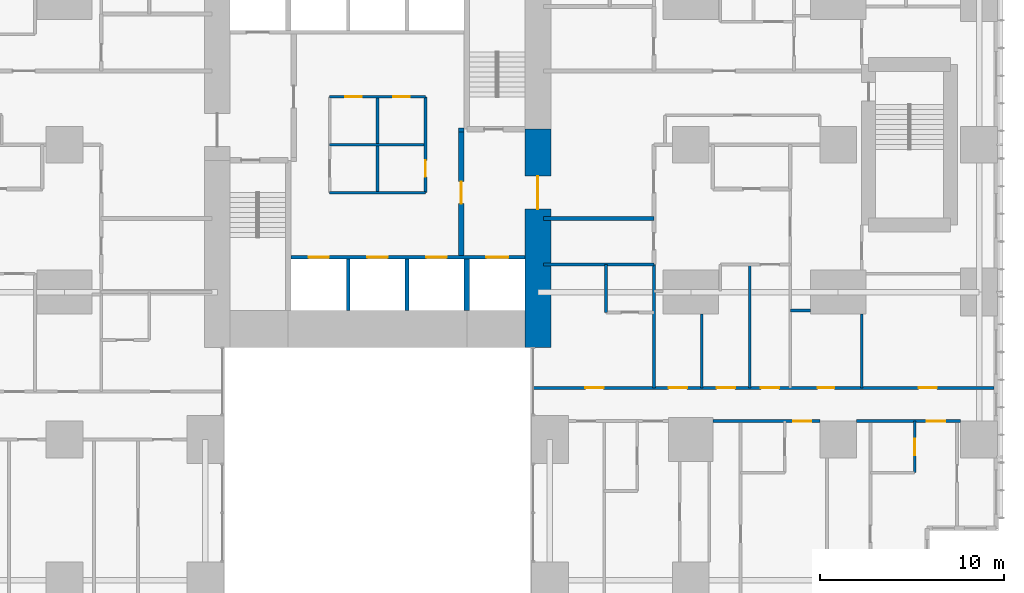
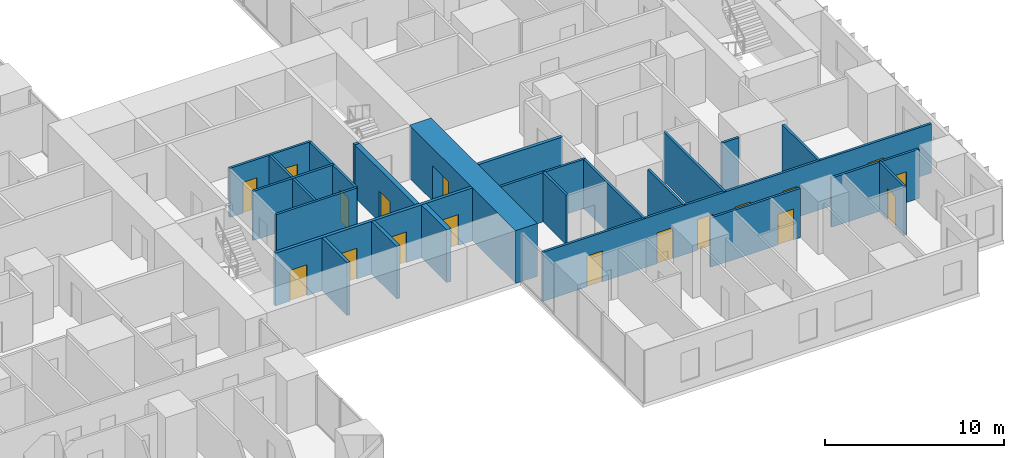
# One storey, part 15 of 20: 24 walls, 18 doors, 18 openings.
"""IFC4 building model written with IfcOpenShell, lengths in metres."""

from ifc_helpers import new_model, si_unit, direction, frame, frame_2d, origin, place, context, subcontext, project, spatial, rectangle, extrude, material, layer, layer_set, type_object, element, fill, save


model = new_model("IFC4")

# Units and contexts
model_context = context("Model", 3, precision=1e-05, world=origin(), true_north=direction((0.0, 1.0)))
body_context = subcontext(model_context, "Body", "Model", "MODEL_VIEW")
ifc_project = project(units=[si_unit("LENGTHUNIT", "METRE"), si_unit("AREAUNIT", "SQUARE_METRE"), si_unit("VOLUMEUNIT", "CUBIC_METRE"), si_unit("PLANEANGLEUNIT", "RADIAN"), si_unit("MASSUNIT", "GRAM", prefix="KILO")], contexts=[model_context])

# Site, building, storey
site_placement = place(None, origin())
site = spatial("IfcSite", under=ifc_project, at=site_placement, CompositionType="ELEMENT")
building_placement = place(site_placement, origin())
building = spatial("IfcBuilding", under=site, at=building_placement, Name="Cleftline Residences", CompositionType="ELEMENT")
storey_placement = place(building_placement, frame((0.0, 0.0, 51.199951171875)))
storey = spatial("IfcBuildingStorey", under=building, at=storey_placement, Name="L12", CompositionType="ELEMENT", Elevation=51.199951171875)

# Wall, opening, door
ifc_material_1 = material(Name="Concrete B70", Category="concrete")
ifc_layer_1 = layer(ifc_material_1, 1.39990234375)
ifc_layer_set_1 = layer_set([ifc_layer_1], Name="CORE WALL 1400")
wall_type_1 = type_object("IfcWallType", Name="CORE WALL 1400", PredefinedType="SHEAR", material=ifc_layer_set_1)
wall_1_placement = place(storey_placement, frame((41.699951171875, 13.0, 0.0), z_axis=(0.0, 0.0, 1.0), x_axis=(0.0, 1.0, 0.0)))
wall_1 = element("IfcWall", 1, at=wall_1_placement, inside=storey, type_object=wall_type_1, Name="Core wall E", PredefinedType="SHEAR", context=body_context, shape_type="SweptSolid", body=[
    extrude(rectangle(XDim=11.85009765625, YDim=1.39990234375, at=frame_2d((5.925048828125, 0.0))), origin(), (0.0, 0.0, 1.0), 3.60009765625),
])
opening_1_placement = place(wall_1_placement, frame((7.5, 0.0, 0.0)))
opening_1 = element("IfcOpeningElement", 2, at=opening_1_placement, cuts=wall_1, Name="Opening D7", PredefinedType="OPENING", context=body_context, shape_type="SweptSolid", body=[
    extrude(rectangle(XDim=1.800048828125, YDim=2.39990234375, at=frame_2d((0.89990234375, 1.199951171875))), frame((0.0, 0.7099609375, 0.0), z_axis=(0.0, -1.0, 0.0), x_axis=(1.0, 0.0, 0.0)), (0.0, 0.0, 1.0), 1.419921875),
])
ifc_material_2 = material(Name="Steel", Category="steel")
door_type_1 = type_object("IfcDoorType", Name="WING DOOR 1800X2400", OperationType="DOUBLE_DOOR_DOUBLE_SWING", PredefinedType="DOOR", material=ifc_material_2)
door_1_placement = place(opening_1_placement, origin())
door_1 = element("IfcDoor", 3, at=door_1_placement, inside=storey, type_object=door_type_1, Name="East wing door", OperationType="DOUBLE_DOOR_DOUBLE_SWING", OverallHeight=2.39990234375, OverallWidth=1.800048828125, PredefinedType="DOOR", context=body_context, shape_type="SweptSolid", body=[
    extrude(rectangle(XDim=1.800048828125, YDim=2.39990234375, at=frame_2d((0.89990234375, 1.199951171875))), frame((0.0, 0.02490234375, 0.0), z_axis=(0.0, -1.0, 0.0), x_axis=(1.0, 0.0, 0.0)), (0.0, 0.0, 1.0), 0.050048828125),
])
fill(opening_1, door_1)

# Walls
ifc_material_3 = material(Name="Concrete B70", Category="concrete")
ifc_layer_2 = layer(ifc_material_3, 0.300048828125)
ifc_layer_set_2 = layer_set([ifc_layer_2], Name="CORE WALL 300")
wall_type_2 = type_object("IfcWallType", Name="CORE WALL 300", PredefinedType="SHEAR", material=ifc_layer_set_2)
wall_2_placement = place(storey_placement, frame((37.85009765625, 15.0, 0.0), z_axis=(0.0, 0.0, 1.0), x_axis=(0.0, 1.0, 0.0)))
element("IfcWall", 4, at=wall_2_placement, inside=storey, type_object=wall_type_2, Name="Lift shaft wall", PredefinedType="SHEAR", context=body_context, shape_type="SweptSolid", body=[
    extrude(rectangle(XDim=2.800048828125, YDim=0.300048828125, at=frame_2d((1.39990234375, 0.0))), origin(), (0.0, 0.0, 1.0), 3.60009765625),
])
ifc_material_4 = material(Name="Concrete blockwork, fire rated", Category="masonry")
ifc_layer_3 = layer(ifc_material_4, 0.199951171875)
ifc_layer_set_3 = layer_set([ifc_layer_3], Name="FIRE WALL 200")
wall_type_3 = type_object("IfcWallType", Name="FIRE WALL 200", PredefinedType="PARTITIONING", material=ifc_layer_set_3)
wall_3_placement = place(storey_placement, frame((42.0, 20.0, 0.0), z_axis=(0.0, 0.0, 1.0), x_axis=(1.0, 0.0, 0.0)))
element("IfcWall", 5, at=wall_3_placement, inside=storey, type_object=wall_type_3, Name="Fire separating wall", PredefinedType="PARTITIONING", context=body_context, shape_type="SweptSolid", body=[
    extrude(rectangle(XDim=6.0, YDim=0.199951171875, at=frame_2d((3.0, 0.0))), origin(), (0.0, 0.0, 1.0), 3.35009765625),
])
wall_4_placement = place(storey_placement, frame((37.39990234375, 24.800048828125, 0.0), z_axis=(0.0, 0.0, 1.0), x_axis=(1.0, 0.0, 0.0)))
element("IfcWall", 6, at=wall_4_placement, inside=storey, type_object=wall_type_3, Name="Fire separating wall", PredefinedType="PARTITIONING", context=body_context, shape_type="SweptSolid", body=[
    extrude(rectangle(XDim=0.300048828125, YDim=0.199951171875, at=frame_2d((0.14990234375, 0.0))), origin(), (0.0, 0.0, 1.0), 3.60009765625),
])

# Wall, opening, door
ifc_material_5 = material(Name="Gypsum board on steel studs", Category="steel")
ifc_layer_4 = layer(ifc_material_5, 0.14990234375)
ifc_layer_set_4 = layer_set([ifc_layer_4], Name="PARTITION 150")
wall_type_4 = type_object("IfcWallType", Name="PARTITION 150", PredefinedType="PARTITIONING", material=ifc_layer_set_4)
wall_5_placement = place(storey_placement, frame((51.199951171875, 9.0, 0.0), z_axis=(0.0, 0.0, 1.0), x_axis=(1.0, 0.0, 0.0)))
wall_5 = element("IfcWall", 7, at=wall_5_placement, inside=storey, type_object=wall_type_4, Name="Partition", PredefinedType="PARTITIONING", context=body_context, shape_type="SweptSolid", body=[
    extrude(rectangle(XDim=5.800048828125, YDim=0.14990234375, at=frame_2d((2.89990234375, 0.0))), origin(), (0.0, 0.0, 1.0), 3.35009765625),
])
opening_2_placement = place(wall_5_placement, frame((4.35009765625, 0.0, 0.0)))
opening_2 = element("IfcOpeningElement", 8, at=opening_2_placement, cuts=wall_5, Name="Opening D2", PredefinedType="OPENING", context=body_context, shape_type="SweptSolid", body=[
    extrude(rectangle(XDim=1.0, YDim=2.10009765625, at=frame_2d((0.5, 1.050048828125))), frame((0.0, 0.0849609375, 0.0), z_axis=(0.0, -1.0, 0.0), x_axis=(1.0, 0.0, 0.0)), (0.0, 0.0, 1.0), 0.169921875),
])
ifc_material_6 = material(Name="Timber veneer on solid core", Category="wood")
door_type_2 = type_object("IfcDoorType", Name="DOOR 1000X2100", OperationType="SINGLE_SWING_LEFT", PredefinedType="DOOR", material=ifc_material_6)
door_2_placement = place(opening_2_placement, origin())
door_2 = element("IfcDoor", 9, at=door_2_placement, inside=storey, type_object=door_type_2, Name="Door to bedroom 3", OperationType="SINGLE_SWING_LEFT", OverallHeight=2.10009765625, OverallWidth=1.0, PredefinedType="DOOR", context=body_context, shape_type="SweptSolid", body=[
    extrude(rectangle(XDim=1.0, YDim=2.10009765625, at=frame_2d((0.5, 1.050048828125))), frame((0.0, 0.02490234375, 0.0), z_axis=(0.0, -1.0, 0.0), x_axis=(1.0, 0.0, 0.0)), (0.0, 0.0, 1.0), 0.050048828125),
])
fill(opening_2, door_2)

wall_6_placement = place(storey_placement, frame((59.0, 9.0, 0.0), z_axis=(0.0, 0.0, 1.0), x_axis=(1.0, 0.0, 0.0)))
wall_6 = element("IfcWall", 10, at=wall_6_placement, inside=storey, type_object=wall_type_4, Name="Partition", PredefinedType="PARTITIONING", context=body_context, shape_type="SweptSolid", body=[
    extrude(rectangle(XDim=5.64990234375, YDim=0.14990234375, at=frame_2d((2.824951171875, 0.0))), origin(), (0.0, 0.0, 1.0), 3.35009765625),
])
opening_3_placement = place(wall_6_placement, frame((3.800048828125, 0.0, 0.0)))
opening_3 = element("IfcOpeningElement", 11, at=opening_3_placement, cuts=wall_6, Name="Opening D2", PredefinedType="OPENING", context=body_context, shape_type="SweptSolid", body=[
    extrude(rectangle(XDim=1.0, YDim=2.10009765625, at=frame_2d((0.5, 1.050048828125))), frame((0.0, 0.0849609375, 0.0), z_axis=(0.0, -1.0, 0.0), x_axis=(1.0, 0.0, 0.0)), (0.0, 0.0, 1.0), 0.169921875),
])
door_3_placement = place(opening_3_placement, origin())
door_3 = element("IfcDoor", 12, at=door_3_placement, inside=storey, type_object=door_type_2, Name="Door to bedroom 2", OperationType="SINGLE_SWING_LEFT", OverallHeight=2.10009765625, OverallWidth=1.0, PredefinedType="DOOR", context=body_context, shape_type="SweptSolid", body=[
    extrude(rectangle(XDim=1.0, YDim=2.10009765625, at=frame_2d((0.5, 1.050048828125))), frame((0.0, 0.02490234375, 0.0), z_axis=(0.0, -1.0, 0.0), x_axis=(1.0, 0.0, 0.0)), (0.0, 0.0, 1.0), 0.050048828125),
])
fill(opening_3, door_3)

# Wall, openings, doors
wall_7_placement = place(storey_placement, frame((41.43896484375, 10.800048828125, 0.0), z_axis=(0.0, 0.0, 1.0), x_axis=(1.0, 0.0, 0.0)))
wall_7 = element("IfcWall", 13, at=wall_7_placement, inside=storey, type_object=wall_type_4, Name="Partition", PredefinedType="PARTITIONING", context=body_context, shape_type="SweptSolid", body=[
    extrude(rectangle(XDim=25.010986328125, YDim=0.14990234375, at=frame_2d((12.50537109375, 0.0))), origin(), (0.0, 0.0, 1.0), 3.35009765625),
])
opening_4_placement = place(wall_7_placement, frame((12.361083984375, 0.0, 0.0)))
opening_4 = element("IfcOpeningElement", 14, at=opening_4_placement, cuts=wall_7, Name="Opening D2", PredefinedType="OPENING", context=body_context, shape_type="SweptSolid", body=[
    extrude(rectangle(XDim=1.0, YDim=2.10009765625, at=frame_2d((0.5, 1.050048828125))), frame((0.0, 0.0849609375, 0.0), z_axis=(0.0, -1.0, 0.0), x_axis=(1.0, 0.0, 0.0)), (0.0, 0.0, 1.0), 0.169921875),
])
opening_5_placement = place(wall_7_placement, frame((20.923583984375, 0.0, 0.0)))
opening_5 = element("IfcOpeningElement", 15, at=opening_5_placement, cuts=wall_7, Name="Opening D2", PredefinedType="OPENING", context=body_context, shape_type="SweptSolid", body=[
    extrude(rectangle(XDim=1.0, YDim=2.10009765625, at=frame_2d((0.5, 1.050048828125))), frame((0.0, 0.0849609375, 0.0), z_axis=(0.0, -1.0, 0.0), x_axis=(1.0, 0.0, 0.0)), (0.0, 0.0, 1.0), 0.169921875),
])
opening_6_placement = place(wall_7_placement, frame((15.448486328125, 0.0, 0.0)))
opening_6 = element("IfcOpeningElement", 16, at=opening_6_placement, cuts=wall_7, Name="Opening D1", PredefinedType="OPENING", context=body_context, shape_type="SweptSolid", body=[
    extrude(rectangle(XDim=0.89990234375, YDim=2.10009765625, at=frame_2d((0.449951171875, 1.050048828125))), frame((0.0, 0.0849609375, 0.0), z_axis=(0.0, -1.0, 0.0), x_axis=(1.0, 0.0, 0.0)), (0.0, 0.0, 1.0), 0.169921875),
])
opening_7_placement = place(wall_7_placement, frame((9.9609375, 0.0, 0.0)))
opening_7 = element("IfcOpeningElement", 17, at=opening_7_placement, cuts=wall_7, Name="Opening D2", PredefinedType="OPENING", context=body_context, shape_type="SweptSolid", body=[
    extrude(rectangle(XDim=1.0, YDim=2.10009765625, at=frame_2d((0.5, 1.050048828125))), frame((0.0, 0.0849609375, 0.0), z_axis=(0.0, -1.0, 0.0), x_axis=(1.0, 0.0, 0.0)), (0.0, 0.0, 1.0), 0.169921875),
])
opening_8_placement = place(wall_7_placement, frame((7.361083984375, 0.0, 0.0)))
opening_8 = element("IfcOpeningElement", 18, at=opening_8_placement, cuts=wall_7, Name="Opening D2", PredefinedType="OPENING", context=body_context, shape_type="SweptSolid", body=[
    extrude(rectangle(XDim=1.0, YDim=2.10009765625, at=frame_2d((0.5, 1.050048828125))), frame((0.0, 0.0849609375, 0.0), z_axis=(0.0, -1.0, 0.0), x_axis=(1.0, 0.0, 0.0)), (0.0, 0.0, 1.0), 0.169921875),
])
opening_9_placement = place(wall_7_placement, frame((2.8359375, 0.0, 0.0)))
opening_9 = element("IfcOpeningElement", 19, at=opening_9_placement, cuts=wall_7, Name="Opening D2", PredefinedType="OPENING", context=body_context, shape_type="SweptSolid", body=[
    extrude(rectangle(XDim=1.0, YDim=2.10009765625, at=frame_2d((0.5, 1.050048828125))), frame((0.0, 0.0849609375, 0.0), z_axis=(0.0, -1.0, 0.0), x_axis=(1.0, 0.0, 0.0)), (0.0, 0.0, 1.0), 0.169921875),
])
door_4_placement = place(opening_4_placement, origin())
door_4 = element("IfcDoor", 20, at=door_4_placement, inside=storey, type_object=door_type_2, Name="Door to residence hall", OperationType="SINGLE_SWING_LEFT", OverallHeight=2.10009765625, OverallWidth=1.0, PredefinedType="DOOR", context=body_context, shape_type="SweptSolid", body=[
    extrude(rectangle(XDim=1.0, YDim=2.10009765625, at=frame_2d((0.5, 1.050048828125))), frame((0.0, 0.02490234375, 0.0), z_axis=(0.0, -1.0, 0.0), x_axis=(1.0, 0.0, 0.0)), (0.0, 0.0, 1.0), 0.050048828125),
])
fill(opening_4, door_4)
door_5_placement = place(opening_5_placement, origin())
door_5 = element("IfcDoor", 21, at=door_5_placement, inside=storey, type_object=door_type_2, Name="Door to sea-view living and dining room", OperationType="SINGLE_SWING_LEFT", OverallHeight=2.10009765625, OverallWidth=1.0, PredefinedType="DOOR", context=body_context, shape_type="SweptSolid", body=[
    extrude(rectangle(XDim=1.0, YDim=2.10009765625, at=frame_2d((0.5, 1.050048828125))), frame((0.0, 0.02490234375, 0.0), z_axis=(0.0, -1.0, 0.0), x_axis=(1.0, 0.0, 0.0)), (0.0, 0.0, 1.0), 0.050048828125),
])
fill(opening_5, door_5)
door_6_placement = place(opening_7_placement, origin())
door_6 = element("IfcDoor", 22, at=door_6_placement, inside=storey, type_object=door_type_2, Name="Door to show kitchen", OperationType="SINGLE_SWING_RIGHT", OverallHeight=2.10009765625, OverallWidth=1.0, PredefinedType="DOOR", context=body_context, shape_type="SweptSolid", body=[
    extrude(rectangle(XDim=1.0, YDim=2.10009765625, at=frame_2d((0.5, 1.050048828125))), frame((0.0, 0.02490234375, 0.0), z_axis=(0.0, -1.0, 0.0), x_axis=(1.0, 0.0, 0.0)), (0.0, 0.0, 1.0), 0.050048828125),
])
fill(opening_7, door_6)
door_7_placement = place(opening_8_placement, origin())
door_7 = element("IfcDoor", 23, at=door_7_placement, inside=storey, type_object=door_type_2, Name="Door to wet kitchen", OperationType="SINGLE_SWING_RIGHT", OverallHeight=2.10009765625, OverallWidth=1.0, PredefinedType="DOOR", context=body_context, shape_type="SweptSolid", body=[
    extrude(rectangle(XDim=1.0, YDim=2.10009765625, at=frame_2d((0.5, 1.050048828125))), frame((0.0, 0.02490234375, 0.0), z_axis=(0.0, -1.0, 0.0), x_axis=(1.0, 0.0, 0.0)), (0.0, 0.0, 1.0), 0.050048828125),
])
fill(opening_8, door_7)
door_8_placement = place(opening_9_placement, origin())
door_8 = element("IfcDoor", 24, at=door_8_placement, inside=storey, type_object=door_type_2, Name="Door to master bedroom", OperationType="SINGLE_SWING_RIGHT", OverallHeight=2.10009765625, OverallWidth=1.0, PredefinedType="DOOR", context=body_context, shape_type="SweptSolid", body=[
    extrude(rectangle(XDim=1.0, YDim=2.10009765625, at=frame_2d((0.5, 1.050048828125))), frame((0.0, 0.02490234375, 0.0), z_axis=(0.0, -1.0, 0.0), x_axis=(1.0, 0.0, 0.0)), (0.0, 0.0, 1.0), 0.050048828125),
])
fill(opening_9, door_8)
ifc_material_7 = material(Name="Timber veneer on solid core", Category="wood")
door_type_3 = type_object("IfcDoorType", Name="DOOR 900X2100", OperationType="SINGLE_SWING_LEFT", PredefinedType="DOOR", material=ifc_material_7)
door_9_placement = place(opening_6_placement, origin())
door_9 = element("IfcDoor", 25, at=door_9_placement, inside=storey, type_object=door_type_3, Name="Door to store room", OperationType="SINGLE_SWING_LEFT", OverallHeight=2.10009765625, OverallWidth=0.89990234375, PredefinedType="DOOR", context=body_context, shape_type="SweptSolid", body=[
    extrude(rectangle(XDim=0.89990234375, YDim=2.10009765625, at=frame_2d((0.449951171875, 1.050048828125))), frame((0.0, 0.02490234375, 0.0), z_axis=(0.0, -1.0, 0.0), x_axis=(1.0, 0.0, 0.0)), (0.0, 0.0, 1.0), 0.050048828125),
])
fill(opening_6, door_9)

# Walls
wall_8_placement = place(storey_placement, frame((55.39990234375, 15.0, 0.0), z_axis=(0.0, 0.0, 1.0), x_axis=(1.0, 0.0, 0.0)))
element("IfcWall", 26, at=wall_8_placement, inside=storey, type_object=wall_type_4, Name="Partition", PredefinedType="PARTITIONING", context=body_context, shape_type="SweptSolid", body=[
    extrude(rectangle(XDim=1.10009765625, YDim=0.14990234375, at=frame_2d((0.550048828125, 0.0))), origin(), (0.0, 0.0, 1.0), 3.35009765625),
])
wall_9_placement = place(storey_placement, frame((42.0, 17.5, 0.0), z_axis=(0.0, 0.0, 1.0), x_axis=(1.0, 0.0, 0.0)))
element("IfcWall", 27, at=wall_9_placement, inside=storey, type_object=wall_type_4, Name="Partition", PredefinedType="PARTITIONING", context=body_context, shape_type="SweptSolid", body=[
    extrude(rectangle(XDim=6.0, YDim=0.14990234375, at=frame_2d((3.0, 0.0))), origin(), (0.0, 0.0, 1.0), 3.35009765625),
])
wall_10_placement = place(storey_placement, frame((45.39990234375, 14.89990234375, 0.0), z_axis=(0.0, 0.0, 1.0), x_axis=(0.0, 1.0, 0.0)))
element("IfcWall", 28, at=wall_10_placement, inside=storey, type_object=wall_type_4, Name="Partition", PredefinedType="PARTITIONING", context=body_context, shape_type="SweptSolid", body=[
    extrude(rectangle(XDim=2.60009765625, YDim=0.14990234375, at=frame_2d((1.300048828125, 0.0))), origin(), (0.0, 0.0, 1.0), 3.35009765625),
])
wall_11_placement = place(storey_placement, frame((48.0, 10.800048828125, 0.0), z_axis=(0.0, 0.0, 1.0), x_axis=(0.0, 1.0, 0.0)))
element("IfcWall", 29, at=wall_11_placement, inside=storey, type_object=wall_type_4, Name="Partition", PredefinedType="PARTITIONING", context=body_context, shape_type="SweptSolid", body=[
    extrude(rectangle(XDim=6.699951171875, YDim=0.14990234375, at=frame_2d((3.35009765625, 0.0))), origin(), (0.0, 0.0, 1.0), 3.35009765625),
])
wall_12_placement = place(storey_placement, frame((50.60009765625, 10.800048828125, 0.0), z_axis=(0.0, 0.0, 1.0), x_axis=(0.0, 1.0, 0.0)))
element("IfcWall", 30, at=wall_12_placement, inside=storey, type_object=wall_type_4, Name="Partition", PredefinedType="PARTITIONING", context=body_context, shape_type="SweptSolid", body=[
    extrude(rectangle(XDim=4.0, YDim=0.14990234375, at=frame_2d((2.0, 0.0))), origin(), (0.0, 0.0, 1.0), 3.35009765625),
])
wall_13_placement = place(storey_placement, frame((53.199951171875, 10.800048828125, 0.0), z_axis=(0.0, 0.0, 1.0), x_axis=(0.0, 1.0, 0.0)))
element("IfcWall", 31, at=wall_13_placement, inside=storey, type_object=wall_type_4, Name="Partition", PredefinedType="PARTITIONING", context=body_context, shape_type="SweptSolid", body=[
    extrude(rectangle(XDim=6.699951171875, YDim=0.14990234375, at=frame_2d((3.35009765625, 0.0))), origin(), (0.0, 0.0, 1.0), 3.35009765625),
])
wall_14_placement = place(storey_placement, frame((59.27490234375, 10.800048828125, 0.0), z_axis=(0.0, 0.0, 1.0), x_axis=(0.0, 1.0, 0.0)))
element("IfcWall", 32, at=wall_14_placement, inside=storey, type_object=wall_type_4, Name="Partition", PredefinedType="PARTITIONING", context=body_context, shape_type="SweptSolid", body=[
    extrude(rectangle(XDim=4.0, YDim=0.14990234375, at=frame_2d((2.0, 0.0))), origin(), (0.0, 0.0, 1.0), 3.35009765625),
])

# Wall, opening, door
wall_15_placement = place(storey_placement, frame((62.14990234375, 6.199951171875, 0.0), z_axis=(0.0, 0.0, 1.0), x_axis=(0.0, 1.0, 0.0)))
wall_15 = element("IfcWall", 33, at=wall_15_placement, inside=storey, type_object=wall_type_4, Name="Partition", PredefinedType="PARTITIONING", context=body_context, shape_type="SweptSolid", body=[
    extrude(rectangle(XDim=2.800048828125, YDim=0.14990234375, at=frame_2d((1.39990234375, 0.0))), origin(), (0.0, 0.0, 1.0), 3.35009765625),
])
opening_10_placement = place(wall_15_placement, frame((0.949951171875, 0.0, 0.0)))
opening_10 = element("IfcOpeningElement", 34, at=opening_10_placement, cuts=wall_15, Name="Opening D1", PredefinedType="OPENING", context=body_context, shape_type="SweptSolid", body=[
    extrude(rectangle(XDim=0.89990234375, YDim=2.10009765625, at=frame_2d((0.449951171875, 1.050048828125))), frame((0.0, 0.0849609375, 0.0), z_axis=(0.0, -1.0, 0.0), x_axis=(1.0, 0.0, 0.0)), (0.0, 0.0, 1.0), 0.169921875),
])
door_10_placement = place(opening_10_placement, origin())
door_10 = element("IfcDoor", 35, at=door_10_placement, inside=storey, type_object=door_type_3, Name="Door to en-suite bathroom 2", OperationType="SINGLE_SWING_LEFT", OverallHeight=2.10009765625, OverallWidth=0.89990234375, PredefinedType="DOOR", context=body_context, shape_type="SweptSolid", body=[
    extrude(rectangle(XDim=0.89990234375, YDim=2.10009765625, at=frame_2d((0.449951171875, 1.050048828125))), frame((0.0, 0.02490234375, 0.0), z_axis=(0.0, -1.0, 0.0), x_axis=(1.0, 0.0, 0.0)), (0.0, 0.0, 1.0), 0.050048828125),
])
fill(opening_10, door_10)

# Wall
ifc_material_8 = material(Name="Fire-resisting gypsum board on steel studs", Category="steel")
ifc_layer_5 = layer(ifc_material_8, 0.14990234375)
ifc_layer_set_5 = layer_set([ifc_layer_5], Name="PARTITION 150 EI 60")
wall_type_5 = type_object("IfcWallType", Name="PARTITION 150 EI 60", PredefinedType="PARTITIONING", material=ifc_layer_set_5)
wall_16_placement = place(storey_placement, frame((30.39990234375, 21.39990234375, 0.0), z_axis=(0.0, 0.0, 1.0), x_axis=(1.0, 0.0, 0.0)))
element("IfcWall", 36, at=wall_16_placement, inside=storey, type_object=wall_type_5, Name="Core room partition", PredefinedType="PARTITIONING", context=body_context, shape_type="SweptSolid", body=[
    extrude(rectangle(XDim=5.2001953125, YDim=0.14990234375, at=frame_2d((2.60009765625, 0.0))), origin(), (0.0, 0.0, 1.0), 3.35009765625),
])

# Wall, openings, doors
wall_17_placement = place(storey_placement, frame((30.39990234375, 26.60009765625, 0.0), z_axis=(0.0, 0.0, 1.0), x_axis=(1.0, 0.0, 0.0)))
wall_17 = element("IfcWall", 37, at=wall_17_placement, inside=storey, type_object=wall_type_5, Name="Core room partition", PredefinedType="PARTITIONING", context=body_context, shape_type="SweptSolid", body=[
    extrude(rectangle(XDim=5.2001953125, YDim=0.14990234375, at=frame_2d((2.60009765625, 0.0))), origin(), (0.0, 0.0, 1.0), 3.35009765625),
])
opening_11_placement = place(wall_17_placement, frame((0.85009765625, 0.0, 0.0)))
opening_11 = element("IfcOpeningElement", 38, at=opening_11_placement, cuts=wall_17, Name="Opening D1F30", PredefinedType="OPENING", context=body_context, shape_type="SweptSolid", body=[
    extrude(rectangle(XDim=0.89990234375, YDim=2.10009765625, at=frame_2d((0.449951171875, 1.050048828125))), frame((0.0, 0.0849609375, 0.0), z_axis=(0.0, -1.0, 0.0), x_axis=(1.0, 0.0, 0.0)), (0.0, 0.0, 1.0), 0.169921875),
])
opening_12_placement = place(wall_17_placement, frame((3.449951171875, 0.0, 0.0)))
opening_12 = element("IfcOpeningElement", 39, at=opening_12_placement, cuts=wall_17, Name="Opening D1F30", PredefinedType="OPENING", context=body_context, shape_type="SweptSolid", body=[
    extrude(rectangle(XDim=0.89990234375, YDim=2.10009765625, at=frame_2d((0.449951171875, 1.050048828125))), frame((0.0, 0.0849609375, 0.0), z_axis=(0.0, -1.0, 0.0), x_axis=(1.0, 0.0, 0.0)), (0.0, 0.0, 1.0), 0.169921875),
])
ifc_material_9 = material(Name="Timber veneer on solid core", Category="wood")
door_type_4 = type_object("IfcDoorType", Name="DOOR 900X2100 EI 30", OperationType="SINGLE_SWING_LEFT", PredefinedType="DOOR", material=ifc_material_9)
door_11_placement = place(opening_11_placement, origin())
door_11 = element("IfcDoor", 40, at=door_11_placement, inside=storey, type_object=door_type_4, Name="Door to linen store", OperationType="SINGLE_SWING_RIGHT", OverallHeight=2.10009765625, OverallWidth=0.89990234375, PredefinedType="DOOR", context=body_context, shape_type="SweptSolid", body=[
    extrude(rectangle(XDim=0.89990234375, YDim=2.10009765625, at=frame_2d((0.449951171875, 1.050048828125))), frame((0.0, 0.02490234375, 0.0), z_axis=(0.0, -1.0, 0.0), x_axis=(1.0, 0.0, 0.0)), (0.0, 0.0, 1.0), 0.050048828125),
])
fill(opening_11, door_11)
door_12_placement = place(opening_12_placement, origin())
door_12 = element("IfcDoor", 41, at=door_12_placement, inside=storey, type_object=door_type_4, Name="Door to guest pantry", OperationType="SINGLE_SWING_LEFT", OverallHeight=2.10009765625, OverallWidth=0.89990234375, PredefinedType="DOOR", context=body_context, shape_type="SweptSolid", body=[
    extrude(rectangle(XDim=0.89990234375, YDim=2.10009765625, at=frame_2d((0.449951171875, 1.050048828125))), frame((0.0, 0.02490234375, 0.0), z_axis=(0.0, -1.0, 0.0), x_axis=(1.0, 0.0, 0.0)), (0.0, 0.0, 1.0), 0.050048828125),
])
fill(opening_12, door_12)

# Wall, opening, door
wall_18_placement = place(storey_placement, frame((35.60009765625, 21.39990234375, 0.0), z_axis=(0.0, 0.0, 1.0), x_axis=(0.0, 1.0, 0.0)))
wall_18 = element("IfcWall", 42, at=wall_18_placement, inside=storey, type_object=wall_type_5, Name="Core room partition", PredefinedType="PARTITIONING", context=body_context, shape_type="SweptSolid", body=[
    extrude(rectangle(XDim=5.2001953125, YDim=0.14990234375, at=frame_2d((2.60009765625, 0.0))), origin(), (0.0, 0.0, 1.0), 3.35009765625),
])
opening_13_placement = place(wall_18_placement, frame((0.85009765625, 0.0, 0.0)))
opening_13 = element("IfcOpeningElement", 43, at=opening_13_placement, cuts=wall_18, Name="Opening D1F30", PredefinedType="OPENING", context=body_context, shape_type="SweptSolid", body=[
    extrude(rectangle(XDim=0.89990234375, YDim=2.10009765625, at=frame_2d((0.449951171875, 1.050048828125))), frame((0.0, 0.0849609375, 0.0), z_axis=(0.0, -1.0, 0.0), x_axis=(1.0, 0.0, 0.0)), (0.0, 0.0, 1.0), 0.169921875),
])
door_13_placement = place(opening_13_placement, origin())
door_13 = element("IfcDoor", 44, at=door_13_placement, inside=storey, type_object=door_type_4, Name="Door to housekeeping store", OperationType="SINGLE_SWING_RIGHT", OverallHeight=2.10009765625, OverallWidth=0.89990234375, PredefinedType="DOOR", context=body_context, shape_type="SweptSolid", body=[
    extrude(rectangle(XDim=0.89990234375, YDim=2.10009765625, at=frame_2d((0.449951171875, 1.050048828125))), frame((0.0, 0.02490234375, 0.0), z_axis=(0.0, -1.0, 0.0), x_axis=(1.0, 0.0, 0.0)), (0.0, 0.0, 1.0), 0.050048828125),
])
fill(opening_13, door_13)

# Walls
for number, where, z_axis, x_axis, name in (
    (45, (30.39990234375, 24.0, 0.0), (0.0, 0.0, 1.0), (1.0, 0.0, 0.0), "Core room partition"),
    (46, (33.0, 21.39990234375, 0.0), (0.0, 0.0, 1.0), (0.0, 1.0, 0.0), "Core room partition"),
):
    element("IfcWall", number, at=place(storey_placement, frame(where, z_axis=z_axis, x_axis=x_axis)), inside=storey, type_object=wall_type_5, Name=name, PredefinedType="PARTITIONING", context=body_context, shape_type="SweptSolid", body=[
        extrude(rectangle(XDim=5.2001953125, YDim=0.14990234375, at=frame_2d((2.60009765625, 0.0))), origin(), (0.0, 0.0, 1.0), 3.35009765625),
    ])

# Wall, openings, doors
ifc_material_10 = material(Name="Concrete blockwork, fire rated", Category="masonry")
ifc_layer_6 = layer(ifc_material_10, 0.199951171875)
ifc_layer_set_6 = layer_set([ifc_layer_6], Name="SHAFT WALL 200")
wall_type_6 = type_object("IfcWallType", Name="SHAFT WALL 200", PredefinedType="PARTITIONING", material=ifc_layer_set_6)
wall_19_placement = place(storey_placement, frame((28.300048828125, 17.89990234375, 0.0), z_axis=(0.0, 0.0, 1.0), x_axis=(1.0, 0.0, 0.0)))
wall_19 = element("IfcWall", 47, at=wall_19_placement, inside=storey, type_object=wall_type_6, Name="Lift shaft wall", PredefinedType="PARTITIONING", context=body_context, shape_type="SweptSolid", body=[
    extrude(rectangle(XDim=12.699951171875, YDim=0.199951171875, at=frame_2d((6.35009765625, 0.0))), origin(), (0.0, 0.0, 1.0), 3.60009765625),
])
opening_14_placement = place(wall_19_placement, frame((0.949951171875, 0.0, 0.0)))
opening_14 = element("IfcOpeningElement", 48, at=opening_14_placement, cuts=wall_19, Name="Opening LD1", PredefinedType="OPENING", context=body_context, shape_type="SweptSolid", body=[
    extrude(rectangle(XDim=1.10009765625, YDim=2.10009765625, at=frame_2d((0.550048828125, 1.050048828125))), frame((0.0, 0.10986328125, 0.0), z_axis=(0.0, -1.0, 0.0), x_axis=(1.0, 0.0, 0.0)), (0.0, 0.0, 1.0), 0.219970703125),
])
opening_15_placement = place(wall_19_placement, frame((4.14990234375, 0.0, 0.0)))
opening_15 = element("IfcOpeningElement", 49, at=opening_15_placement, cuts=wall_19, Name="Opening LD1", PredefinedType="OPENING", context=body_context, shape_type="SweptSolid", body=[
    extrude(rectangle(XDim=1.10009765625, YDim=2.10009765625, at=frame_2d((0.550048828125, 1.050048828125))), frame((0.0, 0.10986328125, 0.0), z_axis=(0.0, -1.0, 0.0), x_axis=(1.0, 0.0, 0.0)), (0.0, 0.0, 1.0), 0.219970703125),
])
opening_16_placement = place(wall_19_placement, frame((7.35009765625, 0.0, 0.0)))
opening_16 = element("IfcOpeningElement", 50, at=opening_16_placement, cuts=wall_19, Name="Opening LD1", PredefinedType="OPENING", context=body_context, shape_type="SweptSolid", body=[
    extrude(rectangle(XDim=1.10009765625, YDim=2.10009765625, at=frame_2d((0.550048828125, 1.050048828125))), frame((0.0, 0.10986328125, 0.0), z_axis=(0.0, -1.0, 0.0), x_axis=(1.0, 0.0, 0.0)), (0.0, 0.0, 1.0), 0.219970703125),
])
opening_17_placement = place(wall_19_placement, frame((10.60009765625, 0.0, 0.0)))
opening_17 = element("IfcOpeningElement", 51, at=opening_17_placement, cuts=wall_19, Name="Opening LD2", PredefinedType="OPENING", context=body_context, shape_type="SweptSolid", body=[
    extrude(rectangle(XDim=1.199951171875, YDim=2.10009765625, at=frame_2d((0.60009765625, 1.050048828125))), frame((0.0, 0.10986328125, 0.0), z_axis=(0.0, -1.0, 0.0), x_axis=(1.0, 0.0, 0.0)), (0.0, 0.0, 1.0), 0.219970703125),
])
ifc_material_11 = material(Name="Steel", Category="steel")
door_type_5 = type_object("IfcDoorType", Name="FIREFIGHTING LIFT LANDING DOOR 1200X2100", OperationType="SLIDING_TO_LEFT", PredefinedType="DOOR", material=ifc_material_11)
door_14_placement = place(opening_17_placement, origin())
door_14 = element("IfcDoor", 52, at=door_14_placement, inside=storey, type_object=door_type_5, Name="Lift FL2 landing door", OperationType="SLIDING_TO_LEFT", OverallHeight=2.10009765625, OverallWidth=1.199951171875, PredefinedType="DOOR", context=body_context, shape_type="SweptSolid", body=[
    extrude(rectangle(XDim=1.199951171875, YDim=2.10009765625, at=frame_2d((0.60009765625, 1.050048828125))), frame((0.0, 0.02490234375, 0.0), z_axis=(0.0, -1.0, 0.0), x_axis=(1.0, 0.0, 0.0)), (0.0, 0.0, 1.0), 0.050048828125),
])
fill(opening_17, door_14)
ifc_material_12 = material(Name="Steel", Category="steel")
door_type_6 = type_object("IfcDoorType", Name="LIFT LANDING DOOR 1100X2100", OperationType="SLIDING_TO_LEFT", PredefinedType="DOOR", material=ifc_material_12)
door_15_placement = place(opening_14_placement, origin())
door_15 = element("IfcDoor", 53, at=door_15_placement, inside=storey, type_object=door_type_6, Name="Lift P1 landing door", OperationType="SLIDING_TO_LEFT", OverallHeight=2.10009765625, OverallWidth=1.10009765625, PredefinedType="DOOR", context=body_context, shape_type="SweptSolid", body=[
    extrude(rectangle(XDim=1.10009765625, YDim=2.10009765625, at=frame_2d((0.550048828125, 1.050048828125))), frame((0.0, 0.02490234375, 0.0), z_axis=(0.0, -1.0, 0.0), x_axis=(1.0, 0.0, 0.0)), (0.0, 0.0, 1.0), 0.050048828125),
])
fill(opening_14, door_15)
door_16_placement = place(opening_15_placement, origin())
door_16 = element("IfcDoor", 54, at=door_16_placement, inside=storey, type_object=door_type_6, Name="Lift P2 landing door", OperationType="SLIDING_TO_LEFT", OverallHeight=2.10009765625, OverallWidth=1.10009765625, PredefinedType="DOOR", context=body_context, shape_type="SweptSolid", body=[
    extrude(rectangle(XDim=1.10009765625, YDim=2.10009765625, at=frame_2d((0.550048828125, 1.050048828125))), frame((0.0, 0.02490234375, 0.0), z_axis=(0.0, -1.0, 0.0), x_axis=(1.0, 0.0, 0.0)), (0.0, 0.0, 1.0), 0.050048828125),
])
fill(opening_15, door_16)
door_17_placement = place(opening_16_placement, origin())
door_17 = element("IfcDoor", 55, at=door_17_placement, inside=storey, type_object=door_type_6, Name="Lift P3 landing door", OperationType="SLIDING_TO_LEFT", OverallHeight=2.10009765625, OverallWidth=1.10009765625, PredefinedType="DOOR", context=body_context, shape_type="SweptSolid", body=[
    extrude(rectangle(XDim=1.10009765625, YDim=2.10009765625, at=frame_2d((0.550048828125, 1.050048828125))), frame((0.0, 0.02490234375, 0.0), z_axis=(0.0, -1.0, 0.0), x_axis=(1.0, 0.0, 0.0)), (0.0, 0.0, 1.0), 0.050048828125),
])
fill(opening_16, door_17)

# Walls
for number, where, z_axis, x_axis, name in (
    (56, (31.39990234375, 15.0, 0.0), (0.0, 0.0, 1.0), (0.0, 1.0, 0.0), "Lift shaft wall"),
    (57, (34.60009765625, 15.0, 0.0), (0.0, 0.0, 1.0), (0.0, 1.0, 0.0), "Lift shaft wall"),
):
    element("IfcWall", number, at=place(storey_placement, frame(where, z_axis=z_axis, x_axis=x_axis)), inside=storey, type_object=wall_type_6, Name=name, PredefinedType="PARTITIONING", context=body_context, shape_type="SweptSolid", body=[
        extrude(rectangle(XDim=2.800048828125, YDim=0.199951171875, at=frame_2d((1.39990234375, 0.0))), origin(), (0.0, 0.0, 1.0), 3.60009765625),
    ])

# Wall, opening, door
ifc_material_13 = material(Name="Concrete blockwork, fire rated", Category="masonry")
ifc_layer_7 = layer(ifc_material_13, 0.300048828125)
ifc_layer_set_7 = layer_set([ifc_layer_7], Name="STAIR LOBBY WALL 300")
wall_type_7 = type_object("IfcWallType", Name="STAIR LOBBY WALL 300", PredefinedType="PARTITIONING", material=ifc_layer_set_7)
wall_20_placement = place(storey_placement, frame((37.550048828125, 18.0, 0.0), z_axis=(0.0, 0.0, 1.0), x_axis=(0.0, 1.0, 0.0)))
wall_20 = element("IfcWall", 58, at=wall_20_placement, inside=storey, type_object=wall_type_7, Name="Stair and lobby wall FB-W", PredefinedType="PARTITIONING", context=body_context, shape_type="SweptSolid", body=[
    extrude(rectangle(XDim=6.699951171875, YDim=0.300048828125, at=frame_2d((3.35009765625, 0.0))), origin(), (0.0, 0.0, 1.0), 3.60009765625),
])
opening_18_placement = place(wall_20_placement, frame((2.800048828125, 0.0, 0.0)))
opening_18 = element("IfcOpeningElement", 59, at=opening_18_placement, cuts=wall_20, Name="Opening D6", PredefinedType="OPENING", context=body_context, shape_type="SweptSolid", body=[
    extrude(rectangle(XDim=1.199951171875, YDim=2.10009765625, at=frame_2d((0.60009765625, 1.050048828125))), frame((0.0, 0.159912109375, 0.0), z_axis=(0.0, -1.0, 0.0), x_axis=(1.0, 0.0, 0.0)), (0.0, 0.0, 1.0), 0.320068359375),
])
ifc_material_14 = material(Name="Steel", Category="steel")
door_type_7 = type_object("IfcDoorType", Name="LOBBY DOOR 1200X2100", OperationType="SINGLE_SWING_RIGHT", PredefinedType="DOOR", material=ifc_material_14)
door_18_placement = place(opening_18_placement, origin())
door_18 = element("IfcDoor", 60, at=door_18_placement, inside=storey, type_object=door_type_7, Name="Firefighting lobby B door", OperationType="SINGLE_SWING_LEFT", OverallHeight=2.10009765625, OverallWidth=1.199951171875, PredefinedType="DOOR", context=body_context, shape_type="SweptSolid", body=[
    extrude(rectangle(XDim=1.199951171875, YDim=2.10009765625, at=frame_2d((0.60009765625, 1.050048828125))), frame((0.0, 0.02490234375, 0.0), z_axis=(0.0, -1.0, 0.0), x_axis=(1.0, 0.0, 0.0)), (0.0, 0.0, 1.0), 0.050048828125),
])
fill(opening_18, door_18)

save(model, "model.ifc")
